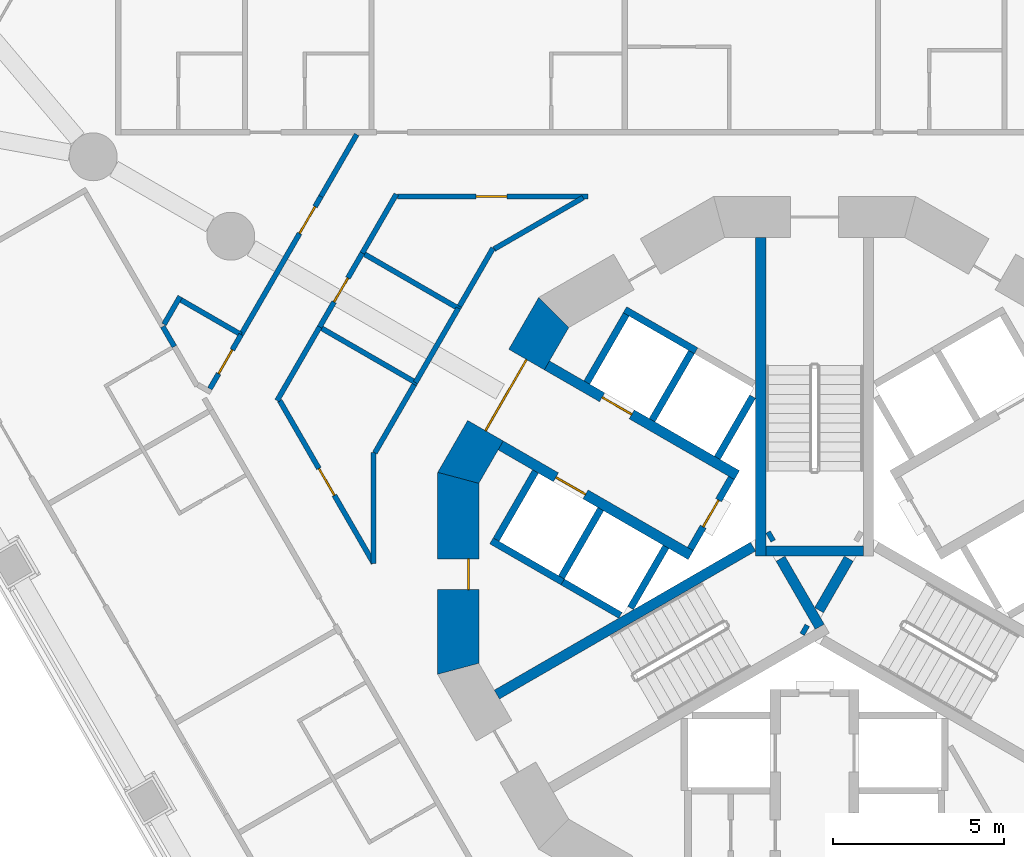
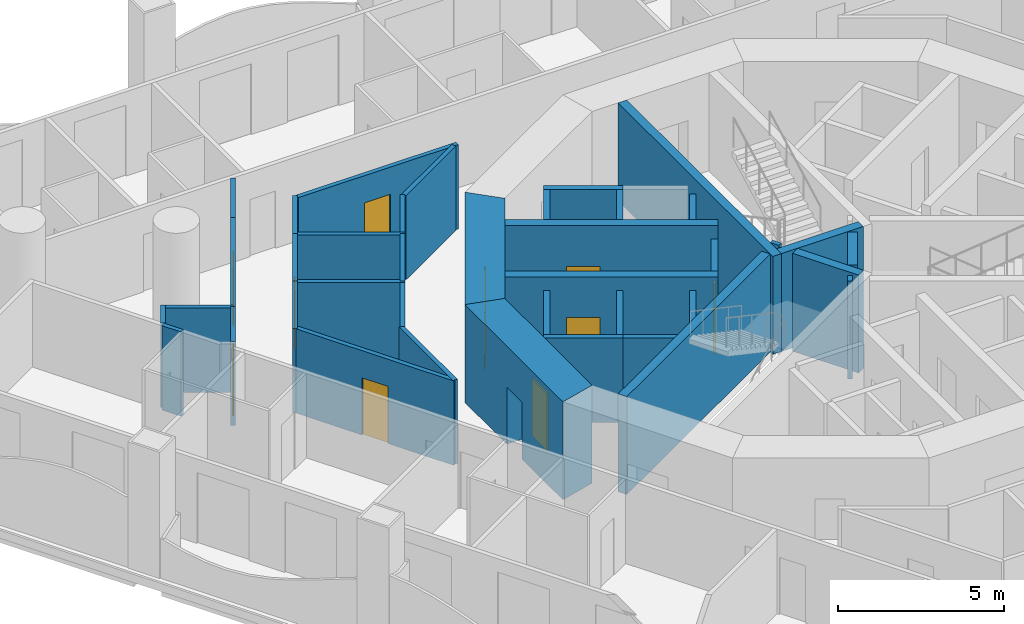
# One storey, part 6 of 19: 39 walls, 10 doors, 10 openings.
"""IFC4 building model written with IfcOpenShell, lengths in metres."""

from ifc_helpers import new_model, si_unit, direction, frame, frame_2d, origin, place, context, subcontext, project, spatial, polyline, rectangle, outline, extrude, material, layer, layer_set, type_object, element, fill, save


model = new_model("IFC4")

# Units and contexts
model_context = context("Model", 3, precision=1e-05, world=origin(), true_north=direction((0.0, 1.0)))
body_context = subcontext(model_context, "Body", "Model", "MODEL_VIEW")
ifc_project = project(units=[si_unit("LENGTHUNIT", "METRE"), si_unit("AREAUNIT", "SQUARE_METRE"), si_unit("VOLUMEUNIT", "CUBIC_METRE"), si_unit("PLANEANGLEUNIT", "RADIAN"), si_unit("MASSUNIT", "GRAM", prefix="KILO")], contexts=[model_context])

# Site, building, storey
site_placement = place(None, origin())
site = spatial("IfcSite", under=ifc_project, at=site_placement, CompositionType="ELEMENT")
building_placement = place(site_placement, origin())
building = spatial("IfcBuilding", under=site, at=building_placement, Name="Trine Commons Tower", CompositionType="ELEMENT")
storey_placement = place(building_placement, frame((0.0, 0.0, 42.300048828125)))
storey = spatial("IfcBuildingStorey", under=building, at=storey_placement, Name="L09", CompositionType="ELEMENT", Elevation=42.300048828125)

# Wall, opening, door
ifc_material_1 = material(Name="Fire-rated gypsum shaft wall system")
ifc_layer_1 = layer(ifc_material_1, 0.199951171875)
ifc_layer_set_1 = layer_set([ifc_layer_1], Name="Fire-rated gypsum shaft wall system")
wall_type_1 = type_object("IfcWallType", Name="Lobby end wall 200 mm, EI 120", PredefinedType="PARTITIONING", material=ifc_layer_set_1)
wall_1_placement = place(storey_placement, frame((77.569091796875, 65.2890625, 0.0), z_axis=(0.0, 0.0, 1.0), x_axis=(-0.50012165622, -0.865955154139, 0.0)))
wall_1 = element("IfcWall", 1, at=wall_1_placement, inside=storey, type_object=wall_type_1, Name="Lobby end wall L09", PredefinedType="PARTITIONING", context=body_context, shape_type="SweptSolid", body=[
    extrude(rectangle(XDim=2.39990234375, YDim=0.199951171875, at=frame_2d((1.199951171875, 0.0))), origin(), (0.0, 0.0, 1.0), 3.099853515625),
])
opening_1_placement = place(wall_1_placement, frame((0.749755859375, 0.0, 0.0)))
opening_1 = element("IfcOpeningElement", 2, at=opening_1_placement, cuts=wall_1, Name="Opening K04.07", PredefinedType="OPENING", context=body_context, shape_type="SweptSolid", body=[
    extrude(rectangle(XDim=0.89990234375, YDim=2.10009765625, at=frame_2d((0.449951171875, 1.050048828125))), frame((0.0, 0.10986328125, 0.0), z_axis=(0.0, -1.0, 0.0), x_axis=(1.0, 0.0, 0.0)), (0.0, 0.0, 1.0), 0.219970703125),
])
ifc_material_2 = material(Name="Steel door leaf, fire-rated", Category="steel")
door_type_1 = type_object("IfcDoorType", Name="Riser access door, single leaf 900 x 2100, FD60", OperationType="SINGLE_SWING_LEFT", PredefinedType="DOOR", material=ifc_material_2)
door_1_placement = place(opening_1_placement, frame((0.89990234375, 0.0, 0.0), z_axis=(0.0, 0.0, 1.0), x_axis=(-1.0, 0.0, 0.0)))
door_1 = element("IfcDoor", 3, at=door_1_placement, inside=storey, type_object=door_type_1, Name="Riser door, Mechanical riser L09", OperationType="SINGLE_SWING_RIGHT", OverallHeight=2.10009765625, OverallWidth=0.89990234375, PredefinedType="DOOR", context=body_context, shape_type="SweptSolid", body=[
    extrude(rectangle(XDim=0.89990234375, YDim=2.10009765625, at=frame_2d((0.449951171875, 1.050048828125))), frame((0.0, 0.02490234375, 0.0), z_axis=(0.0, -1.0, 0.0), x_axis=(1.0, 0.0, 0.0)), (0.0, 0.0, 1.0), 0.050048828125),
])
fill(opening_1, door_1)

ifc_material_3 = material(Name="Concrete C80/95", Category="concrete")
ifc_layer_2 = layer(ifc_material_3, 1.199951171875)
ifc_layer_set_2 = layer_set([ifc_layer_2], Name="Concrete C80/95")
wall_type_2 = type_object("IfcWallType", Name="RC shear wall 1200 mm, C80/95", PredefinedType="SHEAR", material=ifc_layer_set_2)
wall_2_placement = place(storey_placement, frame((72.45849609375, 70.260986328125, 0.0), z_axis=(0.0, 0.0, 1.0), x_axis=(-0.499979111662, -0.866037463336, 0.0)))
wall_2 = element("IfcWall", 4, at=wall_2_placement, inside=storey, type_object=wall_type_2, Name="Core wall CWA-06 L09", PredefinedType="SHEAR", context=body_context, shape_type="SweptSolid", body=[
    extrude(outline(polyline([(0.0, -0.60009765625), (5.901123046875, -0.60009765625), (5.57958984375, 0.60009765625), (0.321533203125, 0.60009765625), (0.0, -0.60009765625)])), origin(), (0.0, 0.0, 1.0), 3.599853515625),
])
opening_2_placement = place(wall_2_placement, frame((1.75048828125, 0.0, 0.0)))
opening_2 = element("IfcOpeningElement", 5, at=opening_2_placement, cuts=wall_2, Name="Opening K04.06", PredefinedType="OPENING", context=body_context, shape_type="SweptSolid", body=[
    extrude(rectangle(XDim=2.39990234375, YDim=2.10009765625, at=frame_2d((1.199951171875, 1.050048828125))), frame((0.0, 0.60986328125, 0.0), z_axis=(0.0, -1.0, 0.0), x_axis=(1.0, 0.0, 0.0)), (0.0, 0.0, 1.0), 1.219970703125),
])
ifc_material_4 = material(Name="Steel door leaves, fire-rated", Category="steel")
door_type_2 = type_object("IfcDoorType", Name="Lobby door, double leaf 2400 x 2100, FD60", OperationType="DOUBLE_DOOR_SINGLE_SWING", PredefinedType="DOOR", material=ifc_material_4)
door_2_placement = place(opening_2_placement, origin())
door_2 = element("IfcDoor", 6, at=door_2_placement, inside=storey, type_object=door_type_2, Name="Lobby door, Passenger lift lobby B L09", OperationType="DOUBLE_DOOR_SINGLE_SWING", OverallHeight=2.10009765625, OverallWidth=2.39990234375, PredefinedType="DOOR", context=body_context, shape_type="SweptSolid", body=[
    extrude(rectangle(XDim=2.39990234375, YDim=2.10009765625, at=frame_2d((1.199951171875, 1.050048828125))), frame((0.0, 0.02490234375, 0.0), z_axis=(0.0, -1.0, 0.0), x_axis=(1.0, 0.0, 0.0)), (0.0, 0.0, 1.0), 0.050048828125),
])
fill(opening_2, door_2)

wall_3_placement = place(storey_placement, frame((69.58837890625, 65.450439453125, 0.0), z_axis=(0.0, 0.0, 1.0), x_axis=(0.0, -1.0, 0.0)))
wall_3 = element("IfcWall", 7, at=wall_3_placement, inside=storey, type_object=wall_type_2, Name="Core wall CWA-07 L09", PredefinedType="SHEAR", context=body_context, shape_type="SweptSolid", body=[
    extrude(outline(polyline([(0.0, -0.60009765625), (5.90087890625, -0.60009765625), (5.57958984375, 0.60009765625), (0.321533203125, 0.60009765625), (0.0, -0.60009765625)])), origin(), (0.0, 0.0, 1.0), 3.599853515625),
])
opening_3_placement = place(wall_3_placement, frame((2.525390625, 0.0, 0.0)))
opening_3 = element("IfcOpeningElement", 8, at=opening_3_placement, cuts=wall_3, Name="Opening K04.14", PredefinedType="OPENING", context=body_context, shape_type="SweptSolid", body=[
    extrude(rectangle(XDim=0.89990234375, YDim=2.10009765625, at=frame_2d((0.449951171875, 1.050048828125))), frame((0.0, 0.60986328125, 0.0), z_axis=(0.0, -1.0, 0.0), x_axis=(1.0, 0.0, 0.0)), (0.0, 0.0, 1.0), 1.219970703125),
])
door_type_3 = type_object("IfcDoorType", Name="Core room door, single leaf 900 x 2100, FD30S", OperationType="SINGLE_SWING_LEFT", PredefinedType="DOOR", material=ifc_material_2)
door_3_placement = place(opening_3_placement, origin())
door_3 = element("IfcDoor", 9, at=door_3_placement, inside=storey, type_object=door_type_3, Name="Door to Print room L09", OperationType="SINGLE_SWING_RIGHT", OverallHeight=2.10009765625, OverallWidth=0.89990234375, PredefinedType="DOOR", context=body_context, shape_type="SweptSolid", body=[
    extrude(rectangle(XDim=0.89990234375, YDim=2.10009765625, at=frame_2d((0.449951171875, 1.050048828125))), frame((0.0, 0.3251953125, 0.0), z_axis=(0.0, -1.0, 0.0), x_axis=(1.0, 0.0, 0.0)), (0.0, 0.0, 1.0), 0.050048828125),
])
fill(opening_3, door_3)

ifc_layer_3 = layer(ifc_material_3, 0.300048828125)
ifc_layer_set_3 = layer_set([ifc_layer_3], Name="Concrete C80/95")
wall_type_3 = type_object("IfcWallType", Name="RC shear wall 300 mm, C80/95", PredefinedType="SHEAR", material=ifc_layer_set_3)
wall_4_placement = place(storey_placement, frame((76.381103515625, 63.031005859375, 0.0), z_axis=(0.0, 0.0, 1.0), x_axis=(-0.866032150378, 0.499988314375, 0.0)))
wall_4 = element("IfcWall", 10, at=wall_4_placement, inside=storey, type_object=wall_type_3, Name="Core cross wall SWA-01 L09", PredefinedType="SHEAR", context=body_context, shape_type="SweptSolid", body=[
    extrude(rectangle(XDim=6.412353515625, YDim=0.300048828125, at=frame_2d((3.2060546875, 0.0))), origin(), (0.0, 0.0, 1.0), 3.599853515625),
])
opening_4_placement = place(wall_4_placement, frame((3.55029296875, 0.0, 0.0)))
opening_4 = element("IfcOpeningElement", 11, at=opening_4_placement, cuts=wall_4, Name="Opening LD3", PredefinedType="OPENING", context=body_context, shape_type="SweptSolid", body=[
    extrude(rectangle(XDim=1.0, YDim=2.10009765625, at=frame_2d((0.5, 1.050048828125))), frame((0.0, 0.159912109375, 0.0), z_axis=(0.0, -1.0, 0.0), x_axis=(1.0, 0.0, 0.0)), (0.0, 0.0, 1.0), 0.320068359375),
])
ifc_material_5 = material(Name="Stainless steel sliding door leaves", Category="steel")
door_type_4 = type_object("IfcDoorType", Name="Lift landing door, centre-opening sliding 1000 x 2100, FD90", OperationType="DOUBLE_DOOR_SLIDING", PredefinedType="DOOR", material=ifc_material_5)
door_4_placement = place(opening_4_placement, origin())
door_4 = element("IfcDoor", 12, at=door_4_placement, inside=storey, type_object=door_type_4, Name="Lift landing door LR3 L09", OperationType="DOUBLE_DOOR_SLIDING", OverallHeight=2.10009765625, OverallWidth=1.0, PredefinedType="DOOR", context=body_context, shape_type="SweptSolid", body=[
    extrude(rectangle(XDim=1.0, YDim=2.10009765625, at=frame_2d((0.5, 1.050048828125))), frame((0.0, 0.02490234375, 0.0), z_axis=(0.0, -1.0, 0.0), x_axis=(1.0, 0.0, 0.0)), (0.0, 0.0, 1.0), 0.050048828125),
])
fill(opening_4, door_4)

wall_5_placement = place(storey_placement, frame((77.73095703125, 65.368896484375, 0.0), z_axis=(0.0, 0.0, 1.0), x_axis=(-0.866022631842, 0.500004801114, 0.0)))
wall_5 = element("IfcWall", 13, at=wall_5_placement, inside=storey, type_object=wall_type_3, Name="Core cross wall SWA-02 L09", PredefinedType="SHEAR", context=body_context, shape_type="SweptSolid", body=[
    extrude(rectangle(XDim=6.412109375, YDim=0.300048828125, at=frame_2d((3.2060546875, 0.0))), origin(), (0.0, 0.0, 1.0), 3.599853515625),
])
opening_5_placement = place(wall_5_placement, frame((3.55029296875, 0.0, 0.0)))
opening_5 = element("IfcOpeningElement", 14, at=opening_5_placement, cuts=wall_5, Name="Opening LD4", PredefinedType="OPENING", context=body_context, shape_type="SweptSolid", body=[
    extrude(rectangle(XDim=1.0, YDim=2.10009765625, at=frame_2d((0.5, 1.050048828125))), frame((0.0, 0.159912109375, 0.0), z_axis=(0.0, -1.0, 0.0), x_axis=(1.0, 0.0, 0.0)), (0.0, 0.0, 1.0), 0.320068359375),
])
door_5_placement = place(opening_5_placement, origin())
door_5 = element("IfcDoor", 15, at=door_5_placement, inside=storey, type_object=door_type_4, Name="Lift landing door LR4 L09", OperationType="DOUBLE_DOOR_SLIDING", OverallHeight=2.10009765625, OverallWidth=1.0, PredefinedType="DOOR", context=body_context, shape_type="SweptSolid", body=[
    extrude(rectangle(XDim=1.0, YDim=2.10009765625, at=frame_2d((0.5, 1.050048828125))), frame((0.0, 0.02490234375, 0.0), z_axis=(0.0, -1.0, 0.0), x_axis=(1.0, 0.0, 0.0)), (0.0, 0.0, 1.0), 0.050048828125),
])
fill(opening_5, door_5)

# Walls
wall_6_placement = place(storey_placement, frame((78.199951171875, 63.280029296875, 0.0), z_axis=(0.0, 0.0, 1.0), x_axis=(-0.865965399159, -0.500103916661, 0.0)))
element("IfcWall", 16, at=wall_6_placement, inside=storey, type_object=wall_type_3, Name="Core cross wall SWA-07 L09", PredefinedType="SHEAR", context=body_context, shape_type="SweptSolid", body=[
    extrude(rectangle(XDim=8.642333984375, YDim=0.300048828125, at=frame_2d((4.3212890625, 0.0))), origin(), (0.0, 0.0, 1.0), 3.599853515625),
])
wall_7_placement = place(storey_placement, frame((78.425048828125, 63.0009765625, 0.0), z_axis=(0.0, 0.0, 1.0), x_axis=(0.0, 1.0, 0.0)))
element("IfcWall", 17, at=wall_7_placement, inside=storey, type_object=wall_type_3, Name="Core cross wall SWA-08 L09", PredefinedType="SHEAR", context=body_context, shape_type="SweptSolid", body=[
    extrude(rectangle(XDim=9.31103515625, YDim=0.300048828125, at=frame_2d((4.655517578125, 0.0))), origin(), (0.0, 0.0, 1.0), 3.599853515625),
])
wall_8_placement = place(storey_placement, frame((78.779052734375, 63.614013671875, 0.0), z_axis=(0.0, 0.0, 1.0), x_axis=(-0.867737973955, -0.497021939713, 0.0)))
element("IfcWall", 18, at=wall_8_placement, inside=storey, type_object=wall_type_3, Name="Core cross wall SWA-09 L09", PredefinedType="SHEAR", context=body_context, shape_type="SweptSolid", body=[
    extrude(rectangle(XDim=0.14892578125, YDim=0.300048828125, at=frame_2d((0.074462890625, 0.0))), origin(), (0.0, 0.0, 1.0), 3.599853515625),
])
wall_9_placement = place(storey_placement, frame((79.0029296875, 62.926025390625, 0.0), z_axis=(0.0, 0.0, 1.0), x_axis=(0.499965247104, -0.866045467449, 0.0)))
element("IfcWall", 19, at=wall_9_placement, inside=storey, type_object=wall_type_3, Name="Core cross wall SWA-10 L09", PredefinedType="SHEAR", context=body_context, shape_type="SweptSolid", body=[
    extrude(rectangle(XDim=2.292236328125, YDim=0.300048828125, at=frame_2d((1.14599609375, 0.0))), origin(), (0.0, 0.0, 1.0), 3.599853515625),
])
wall_10_placement = place(storey_placement, frame((79.64599609375, 60.885986328125, 0.0), z_axis=(0.0, 0.0, 1.0), x_axis=(0.867331893649, -0.497730234424, 0.0)))
element("IfcWall", 20, at=wall_10_placement, inside=storey, type_object=wall_type_3, Name="Core cross wall SWA-11 L09", PredefinedType="SHEAR", context=body_context, shape_type="SweptSolid", body=[
    extrude(rectangle(XDim=0.148681640625, YDim=0.300048828125, at=frame_2d((0.07421875, 0.0))), origin(), (0.0, 0.0, 1.0), 3.599853515625),
])
wall_11_placement = place(storey_placement, frame((80.1298828125, 61.424072265625, 0.0), z_axis=(0.0, 0.0, 1.0), x_axis=(0.500014901547, 0.866016800201, 0.0)))
element("IfcWall", 21, at=wall_11_placement, inside=storey, type_object=wall_type_3, Name="Core cross wall SWA-12 L09", PredefinedType="SHEAR", context=body_context, shape_type="SweptSolid", body=[
    extrude(rectangle(XDim=1.734375, YDim=0.300048828125, at=frame_2d((0.8671875, 0.0))), origin(), (0.0, 0.0, 1.0), 3.599853515625),
])
wall_12_placement = place(storey_placement, frame((81.425048828125, 63.15087890625, 0.0), z_axis=(0.0, 0.0, 1.0), x_axis=(-1.0, 0.0, 0.0)))
element("IfcWall", 22, at=wall_12_placement, inside=storey, type_object=wall_type_3, Name="Core cross wall SWA-16 L09", PredefinedType="SHEAR", context=body_context, shape_type="SweptSolid", body=[
    extrude(rectangle(XDim=2.85009765625, YDim=0.300048828125, at=frame_2d((1.425048828125, 0.0))), origin(), (0.0, 0.0, 1.0), 3.599853515625),
])
ifc_layer_4 = layer(ifc_material_1, 0.199951171875)
ifc_layer_set_4 = layer_set([ifc_layer_4], Name="Fire-rated gypsum shaft wall system")
wall_type_4 = type_object("IfcWallType", Name="Shaft wall 200 mm, EI 120", PredefinedType="PARTITIONING", material=ifc_layer_set_4)
wall_13_placement = place(storey_placement, frame((71.844970703125, 65.47607421875, 0.0), z_axis=(0.0, 0.0, 1.0), x_axis=(-0.500136062276, -0.86594683394, 0.0)))
element("IfcWall", 23, at=wall_13_placement, inside=storey, type_object=wall_type_4, Name="Shaft wall L09", PredefinedType="PARTITIONING", context=body_context, shape_type="SweptSolid", body=[
    extrude(rectangle(XDim=2.299072265625, YDim=0.199951171875, at=frame_2d((1.1494140625, 0.0))), origin(), (0.0, 0.0, 1.0), 3.099853515625),
])
wall_14_placement = place(storey_placement, frame((72.637939453125, 62.248046875, 0.0), z_axis=(0.0, 0.0, 1.0), x_axis=(-0.866177122335, 0.499737123639, 0.0)))
element("IfcWall", 24, at=wall_14_placement, inside=storey, type_object=wall_type_4, Name="Shaft wall L09", PredefinedType="PARTITIONING", context=body_context, shape_type="SweptSolid", body=[
    extrude(rectangle(XDim=2.401123046875, YDim=0.199951171875, at=frame_2d((1.20068359375, 0.0))), origin(), (0.0, 0.0, 1.0), 3.099853515625),
])
wall_15_placement = place(storey_placement, frame((73.344970703125, 68.073974609375, 0.0), z_axis=(0.0, 0.0, 1.0), x_axis=(0.500215680983, 0.865900844496, 0.0)))
element("IfcWall", 25, at=wall_15_placement, inside=storey, type_object=wall_type_4, Name="Shaft wall L09", PredefinedType="PARTITIONING", context=body_context, shape_type="SweptSolid", body=[
    extrude(rectangle(XDim=2.29931640625, YDim=0.199951171875, at=frame_2d((1.149658203125, 0.0))), origin(), (0.0, 0.0, 1.0), 3.099853515625),
])
wall_16_placement = place(storey_placement, frame((73.7509765625, 64.3759765625, 0.0), z_axis=(0.0, 0.0, 1.0), x_axis=(-0.500136062276, -0.86594683394, 0.0)))
element("IfcWall", 26, at=wall_16_placement, inside=storey, type_object=wall_type_4, Name="Shaft wall L09", PredefinedType="PARTITIONING", context=body_context, shape_type="SweptSolid", body=[
    extrude(rectangle(XDim=2.299072265625, YDim=0.199951171875, at=frame_2d((1.1494140625, 0.0))), origin(), (0.0, 0.0, 1.0), 3.099853515625),
])
wall_17_placement = place(storey_placement, frame((74.324951171875, 61.27294921875, 0.0), z_axis=(0.0, 0.0, 1.0), x_axis=(-0.865780634835, 0.500423712812, 0.0)))
element("IfcWall", 27, at=wall_17_placement, inside=storey, type_object=wall_type_4, Name="Shaft wall L09", PredefinedType="PARTITIONING", context=body_context, shape_type="SweptSolid", body=[
    extrude(rectangle(XDim=1.948486328125, YDim=0.199951171875, at=frame_2d((0.97412109375, 0.0))), origin(), (0.0, 0.0, 1.0), 3.099853515625),
])
wall_18_placement = place(storey_placement, frame((75.2509765625, 66.97412109375, 0.0), z_axis=(0.0, 0.0, 1.0), x_axis=(0.500136062276, 0.86594683394, 0.0)))
element("IfcWall", 28, at=wall_18_placement, inside=storey, type_object=wall_type_4, Name="Shaft wall L09", PredefinedType="PARTITIONING", context=body_context, shape_type="SweptSolid", body=[
    extrude(rectangle(XDim=2.299072265625, YDim=0.199951171875, at=frame_2d((1.1494140625, 0.0))), origin(), (0.0, 0.0, 1.0), 3.099853515625),
])
wall_19_placement = place(storey_placement, frame((75.656005859375, 63.27587890625, 0.0), z_axis=(0.0, 0.0, 1.0), x_axis=(-0.500271688072, -0.86586848777, 0.0)))
element("IfcWall", 29, at=wall_19_placement, inside=storey, type_object=wall_type_4, Name="Shaft wall L09", PredefinedType="PARTITIONING", context=body_context, shape_type="SweptSolid", body=[
    extrude(rectangle(XDim=2.064697265625, YDim=0.199951171875, at=frame_2d((1.0322265625, 0.0))), origin(), (0.0, 0.0, 1.0), 3.099853515625),
])
wall_20_placement = place(storey_placement, frame((76.5380859375, 69.001953125, 0.0), z_axis=(0.0, 0.0, 1.0), x_axis=(-0.866202511239, 0.499693115345, 0.0)))
element("IfcWall", 30, at=wall_20_placement, inside=storey, type_object=wall_type_4, Name="Shaft wall L09", PredefinedType="PARTITIONING", context=body_context, shape_type="SweptSolid", body=[
    extrude(rectangle(XDim=2.4013671875, YDim=0.199951171875, at=frame_2d((1.20068359375, 0.0))), origin(), (0.0, 0.0, 1.0), 3.099853515625),
])
wall_21_placement = place(storey_placement, frame((77.156005859375, 65.8740234375, 0.0), z_axis=(0.0, 0.0, 1.0), x_axis=(0.499865770674, 0.866102887253, 0.0)))
element("IfcWall", 31, at=wall_21_placement, inside=storey, type_object=wall_type_4, Name="Shaft wall L09", PredefinedType="PARTITIONING", context=body_context, shape_type="SweptSolid", body=[
    extrude(rectangle(XDim=2.064453125, YDim=0.199951171875, at=frame_2d((1.0322265625, 0.0))), origin(), (0.0, 0.0, 1.0), 3.099853515625),
])
ifc_material_6 = material(Name="Gypsum plasterboard on steel stud", Category="steel")
ifc_layer_5 = layer(ifc_material_6, 0.14990234375)
ifc_layer_set_5 = layer_set([ifc_layer_5], Name="Gypsum plasterboard on steel stud")
wall_type_5 = type_object("IfcWallType", Name="Unit and corridor wall 150 mm, EI 60", PredefinedType="PARTITIONING", material=ifc_layer_set_5)
wall_22_placement = place(storey_placement, frame((60.9560546875, 69.7099609375, 0.0), z_axis=(0.0, 0.0, 1.0), x_axis=(0.500350083779, -0.865823188453, 0.0)))
element("IfcWall", 32, at=wall_22_placement, inside=storey, type_object=wall_type_5, Name="Partition 008", PredefinedType="PARTITIONING", context=body_context, shape_type="SweptSolid", body=[
    extrude(rectangle(XDim=0.67333984375, YDim=0.14990234375, at=frame_2d((0.336669921875, 0.0))), origin(), (0.0, 0.0, 1.0), 3.099853515625),
])
wall_23_placement = place(storey_placement, frame((60.993408203125, 69.77490234375, 0.0), z_axis=(0.0, 0.0, 1.0), x_axis=(0.499692428125, 0.866202907681, 0.0)))
element("IfcWall", 33, at=wall_23_placement, inside=storey, type_object=wall_type_5, Name="Partition 009", PredefinedType="PARTITIONING", context=body_context, shape_type="SweptSolid", body=[
    extrude(rectangle(XDim=0.9384765625, YDim=0.14990234375, at=frame_2d((0.46923828125, 0.0))), origin(), (0.0, 0.0, 1.0), 3.099853515625),
])
wall_24_placement = place(storey_placement, frame((61.489990234375, 70.485595703125, 0.0), z_axis=(0.0, 0.0, 1.0), x_axis=(0.866008926066, -0.500028539159, 0.0)))
element("IfcWall", 34, at=wall_24_placement, inside=storey, type_object=wall_type_5, Name="Partition 014", PredefinedType="PARTITIONING", context=body_context, shape_type="SweptSolid", body=[
    extrude(rectangle(XDim=2.025390625, YDim=0.14990234375, at=frame_2d((1.0126953125, 0.0))), origin(), (0.0, 0.0, 1.0), 3.099853515625),
])

# Wall, opening, door
wall_25_placement = place(storey_placement, frame((62.32958984375, 67.889892578125, 0.0), z_axis=(0.0, 0.0, 1.0), x_axis=(0.500295360516, 0.865854810142, 0.0)))
wall_25 = element("IfcWall", 35, at=wall_25_placement, inside=storey, type_object=wall_type_5, Name="Partition 018", PredefinedType="PARTITIONING", context=body_context, shape_type="SweptSolid", body=[
    extrude(rectangle(XDim=1.83203125, YDim=0.14990234375, at=frame_2d((0.916015625, 0.0))), origin(), (0.0, 0.0, 1.0), 3.099853515625),
])
opening_6_placement = place(wall_25_placement, frame((0.51416015625, 0.0, 0.0)))
opening_6 = element("IfcOpeningElement", 36, at=opening_6_placement, cuts=wall_25, Name="Opening D-1B06", PredefinedType="OPENING", context=body_context, shape_type="SweptSolid", body=[
    extrude(rectangle(XDim=0.800048828125, YDim=2.10009765625, at=frame_2d((0.39990234375, 1.050048828125))), frame((0.0, 0.0849609375, 0.0), z_axis=(0.0, -1.0, 0.0), x_axis=(1.0, 0.0, 0.0)), (0.0, 0.0, 1.0), 0.169921875),
])
ifc_material_7 = material(Name="Painted timber", Category="wood")
door_type_5 = type_object("IfcDoorType", Name="Toilet door 800 x 2100, NOT RATED", OperationType="NOTDEFINED", PredefinedType="DOOR", material=ifc_material_7)
door_6_placement = place(opening_6_placement, origin())
door_6 = element("IfcDoor", 37, at=door_6_placement, inside=storey, type_object=door_type_5, Name="Door D-1B06", OperationType="SINGLE_SWING_LEFT", OverallHeight=2.10009765625, OverallWidth=0.800048828125, PredefinedType="DOOR", context=body_context, shape_type="SweptSolid", body=[
    extrude(rectangle(XDim=0.800048828125, YDim=2.10009765625, at=frame_2d((0.39990234375, 1.050048828125))), frame((0.0, 0.02490234375, 0.0), z_axis=(0.0, -1.0, 0.0), x_axis=(1.0, 0.0, 0.0)), (0.0, 0.0, 1.0), 0.050048828125),
])
fill(opening_6, door_6)

wall_26_placement = place(storey_placement, frame((63.24609375, 69.47607421875, 0.0), z_axis=(0.0, 0.0, 1.0), x_axis=(0.500135267133, 0.865947293182, 0.0)))
wall_26 = element("IfcWall", 38, at=wall_26_placement, inside=storey, type_object=wall_type_5, Name="Partition 021", PredefinedType="PARTITIONING", context=body_context, shape_type="SweptSolid", body=[
    extrude(rectangle(XDim=4.658447265625, YDim=0.14990234375, at=frame_2d((2.3291015625, 0.0))), origin(), (0.0, 0.0, 1.0), 3.099853515625),
])
opening_7_placement = place(wall_26_placement, frame((3.4140625, 0.0, 0.0)))
opening_7 = element("IfcOpeningElement", 39, at=opening_7_placement, cuts=wall_26, Name="Opening D-1B03", PredefinedType="OPENING", context=body_context, shape_type="SweptSolid", body=[
    extrude(rectangle(XDim=0.89990234375, YDim=2.10009765625, at=frame_2d((0.449951171875, 1.050048828125))), frame((0.0, 0.0849609375, 0.0), z_axis=(0.0, -1.0, 0.0), x_axis=(1.0, 0.0, 0.0)), (0.0, 0.0, 1.0), 0.169921875),
])
ifc_material_8 = material(Name="Timber fire door set", Category="wood")
door_type_6 = type_object("IfcDoorType", Name="Cluster entrance door 900 x 2100, FD30S", OperationType="NOTDEFINED", PredefinedType="DOOR", material=ifc_material_8)
door_7_placement = place(opening_7_placement, origin())
door_7 = element("IfcDoor", 40, at=door_7_placement, inside=storey, type_object=door_type_6, Name="Door D-1B03", OperationType="SINGLE_SWING_RIGHT", OverallHeight=2.10009765625, OverallWidth=0.89990234375, PredefinedType="DOOR", context=body_context, shape_type="SweptSolid", body=[
    extrude(rectangle(XDim=0.89990234375, YDim=2.10009765625, at=frame_2d((0.449951171875, 1.050048828125))), frame((0.0, 0.02490234375, 0.0), z_axis=(0.0, -1.0, 0.0), x_axis=(1.0, 0.0, 0.0)), (0.0, 0.0, 1.0), 0.050048828125),
])
fill(opening_7, door_7)

# Wall
wall_27_placement = place(storey_placement, frame((64.29638671875, 67.5458984375, 0.0), z_axis=(0.0, 0.0, 1.0), x_axis=(0.499878313685, 0.866095648013, 0.0)))
element("IfcWall", 41, at=wall_27_placement, inside=storey, type_object=wall_type_5, Name="Partition 023", PredefinedType="PARTITIONING", context=body_context, shape_type="SweptSolid", body=[
    extrude(rectangle(XDim=2.48583984375, YDim=0.14990234375, at=frame_2d((1.242919921875, 0.0))), origin(), (0.0, 0.0, 1.0), 3.099853515625),
])

# Wall, opening, door
wall_28_placement = place(storey_placement, frame((64.37158203125, 67.5458984375, 0.0), z_axis=(0.0, 0.0, 1.0), x_axis=(0.49996526764, -0.866045455593, 0.0)))
wall_28 = element("IfcWall", 42, at=wall_28_placement, inside=storey, type_object=wall_type_5, Name="Partition 024", PredefinedType="PARTITIONING", context=body_context, shape_type="SweptSolid", body=[
    extrude(rectangle(XDim=5.4833984375, YDim=0.14990234375, at=frame_2d((2.74169921875, 0.0))), origin(), (0.0, 0.0, 1.0), 3.099853515625),
])
opening_8_placement = place(wall_28_placement, frame((2.291748046875, 0.0, 0.0)))
opening_8 = element("IfcOpeningElement", 43, at=opening_8_placement, cuts=wall_28, Name="Opening D-1B32", PredefinedType="OPENING", context=body_context, shape_type="SweptSolid", body=[
    extrude(rectangle(XDim=0.89990234375, YDim=2.10009765625, at=frame_2d((0.449951171875, 1.050048828125))), frame((0.0, 0.0849609375, 0.0), z_axis=(0.0, -1.0, 0.0), x_axis=(1.0, 0.0, 0.0)), (0.0, 0.0, 1.0), 0.169921875),
])
door_type_7 = type_object("IfcDoorType", Name="Service door 900 x 2100, FD30S", OperationType="NOTDEFINED", PredefinedType="DOOR", material=ifc_material_8)
door_8_placement = place(opening_8_placement, origin())
door_8 = element("IfcDoor", 44, at=door_8_placement, inside=storey, type_object=door_type_7, Name="Door D-1B32", OperationType="SINGLE_SWING_LEFT", OverallHeight=2.10009765625, OverallWidth=0.89990234375, PredefinedType="DOOR", context=body_context, shape_type="SweptSolid", body=[
    extrude(rectangle(XDim=0.89990234375, YDim=2.10009765625, at=frame_2d((0.449951171875, 1.050048828125))), frame((0.0, 0.02490234375, 0.0), z_axis=(0.0, -1.0, 0.0), x_axis=(1.0, 0.0, 0.0)), (0.0, 0.0, 1.0), 0.050048828125),
])
fill(opening_8, door_8)

wall_29_placement = place(storey_placement, frame((65.49853515625, 69.626953125, 0.0), z_axis=(0.0, 0.0, 1.0), x_axis=(0.499697902162, 0.866199749812, 0.0)))
wall_29 = element("IfcWall", 45, at=wall_29_placement, inside=storey, type_object=wall_type_5, Name="Partition 029", PredefinedType="PARTITIONING", context=body_context, shape_type="SweptSolid", body=[
    extrude(rectangle(XDim=2.58251953125, YDim=0.14990234375, at=frame_2d((1.291259765625, 0.0))), origin(), (0.0, 0.0, 1.0), 3.099853515625),
])
opening_9_placement = place(wall_29_placement, frame((0.928466796875, 0.0, 0.0)))
opening_9 = element("IfcOpeningElement", 46, at=opening_9_placement, cuts=wall_29, Name="Opening D-1B35", PredefinedType="OPENING", context=body_context, shape_type="SweptSolid", body=[
    extrude(rectangle(XDim=0.800048828125, YDim=2.10009765625, at=frame_2d((0.39990234375, 1.050048828125))), frame((0.0, 0.0849609375, 0.0), z_axis=(0.0, -1.0, 0.0), x_axis=(1.0, 0.0, 0.0)), (0.0, 0.0, 1.0), 0.169921875),
])
door_9_placement = place(opening_9_placement, frame((0.800048828125, 0.0, 0.0), z_axis=(0.0, 0.0, 1.0), x_axis=(-1.0, 0.0, 0.0)))
door_9 = element("IfcDoor", 47, at=door_9_placement, inside=storey, type_object=door_type_5, Name="Door D-1B35", OperationType="SINGLE_SWING_LEFT", OverallHeight=2.10009765625, OverallWidth=0.800048828125, PredefinedType="DOOR", context=body_context, shape_type="SweptSolid", body=[
    extrude(rectangle(XDim=0.800048828125, YDim=2.10009765625, at=frame_2d((0.39990234375, 1.050048828125))), frame((0.0, 0.02490234375, 0.0), z_axis=(0.0, -1.0, 0.0), x_axis=(1.0, 0.0, 0.0)), (0.0, 0.0, 1.0), 0.050048828125),
])
fill(opening_9, door_9)

# Walls
wall_30_placement = place(storey_placement, frame((65.602783203125, 69.657470703125, 0.0), z_axis=(0.0, 0.0, 1.0), x_axis=(0.86600086652, -0.50004249738, 0.0)))
element("IfcWall", 48, at=wall_30_placement, inside=storey, type_object=wall_type_5, Name="Partition 030", PredefinedType="PARTITIONING", context=body_context, shape_type="SweptSolid", body=[
    extrude(rectangle(XDim=3.235595703125, YDim=0.14990234375, at=frame_2d((1.61767578125, 0.0))), origin(), (0.0, 0.0, 1.0), 3.099853515625),
])
wall_31_placement = place(storey_placement, frame((65.575927734375, 73.510009765625, 0.0), z_axis=(0.0, 0.0, 1.0), x_axis=(0.499816741327, 0.866131182379, 0.0)))
element("IfcWall", 49, at=wall_31_placement, inside=storey, type_object=wall_type_5, Name="Partition 031", PredefinedType="PARTITIONING", context=body_context, shape_type="SweptSolid", body=[
    extrude(rectangle(XDim=2.092041015625, YDim=0.14990234375, at=frame_2d((1.0458984375, 0.0))), origin(), (0.0, 0.0, 1.0), 3.099853515625),
])
wall_32_placement = place(storey_placement, frame((66.785888671875, 71.85693359375, 0.0), z_axis=(0.0, 0.0, 1.0), x_axis=(0.499867898641, 0.866101659107, 0.0)))
element("IfcWall", 50, at=wall_32_placement, inside=storey, type_object=wall_type_5, Name="Partition 032", PredefinedType="PARTITIONING", context=body_context, shape_type="SweptSolid", body=[
    extrude(rectangle(XDim=1.98583984375, YDim=0.14990234375, at=frame_2d((0.992919921875, 0.0))), origin(), (0.0, 0.0, 1.0), 3.099853515625),
])
wall_33_placement = place(storey_placement, frame((66.852783203125, 71.822509765625, 0.0), z_axis=(0.0, 0.0, 1.0), x_axis=(0.86600086652, -0.50004249738, 0.0)))
element("IfcWall", 51, at=wall_33_placement, inside=storey, type_object=wall_type_5, Name="Partition 033", PredefinedType="PARTITIONING", context=body_context, shape_type="SweptSolid", body=[
    extrude(rectangle(XDim=3.235595703125, YDim=0.14990234375, at=frame_2d((1.61767578125, 0.0))), origin(), (0.0, 0.0, 1.0), 3.099853515625),
])
wall_34_placement = place(storey_placement, frame((67.113037109375, 62.79296875, 0.0), z_axis=(0.0, 0.0, 1.0), x_axis=(0.0, 1.0, 0.0)))
element("IfcWall", 52, at=wall_34_placement, inside=storey, type_object=wall_type_5, Name="Partition 037", PredefinedType="PARTITIONING", context=body_context, shape_type="SweptSolid", body=[
    extrude(rectangle(XDim=3.235107421875, YDim=0.14990234375, at=frame_2d((1.61767578125, 0.0))), origin(), (0.0, 0.0, 1.0), 3.099853515625),
])
wall_35_placement = place(storey_placement, frame((67.150390625, 66.01806640625, 0.0), z_axis=(0.0, 0.0, 1.0), x_axis=(0.500067667087, 0.865986332649, 0.0)))
element("IfcWall", 53, at=wall_35_placement, inside=storey, type_object=wall_type_5, Name="Partition 038", PredefinedType="PARTITIONING", context=body_context, shape_type="SweptSolid", body=[
    extrude(rectangle(XDim=2.305908203125, YDim=0.14990234375, at=frame_2d((1.15283203125, 0.0))), origin(), (0.0, 0.0, 1.0), 3.099853515625),
])

# Wall, opening, door
wall_36_placement = place(storey_placement, frame((67.81591796875, 73.511962890625, 0.0), z_axis=(0.0, 0.0, 1.0), x_axis=(1.0, 0.0, 0.0)))
wall_36 = element("IfcWall", 54, at=wall_36_placement, inside=storey, type_object=wall_type_5, Name="Partition 039", PredefinedType="PARTITIONING", context=body_context, shape_type="SweptSolid", body=[
    extrude(rectangle(XDim=5.55810546875, YDim=0.14990234375, at=frame_2d((2.779052734375, 0.0))), origin(), (0.0, 0.0, 1.0), 3.099853515625),
])
opening_10_placement = place(wall_36_placement, frame((2.29150390625, 0.0, 0.0)))
opening_10 = element("IfcOpeningElement", 55, at=opening_10_placement, cuts=wall_36, Name="Opening D-1B34", PredefinedType="OPENING", context=body_context, shape_type="SweptSolid", body=[
    extrude(rectangle(XDim=0.89990234375, YDim=2.10009765625, at=frame_2d((0.449951171875, 1.050048828125))), frame((0.0, 0.0849609375, 0.0), z_axis=(0.0, -1.0, 0.0), x_axis=(1.0, 0.0, 0.0)), (0.0, 0.0, 1.0), 0.169921875),
])
door_10_placement = place(opening_10_placement, frame((0.89990234375, 0.0, 0.0), z_axis=(0.0, 0.0, 1.0), x_axis=(-1.0, 0.0, 0.0)))
door_10 = element("IfcDoor", 56, at=door_10_placement, inside=storey, type_object=door_type_7, Name="Door D-1B34", OperationType="SINGLE_SWING_RIGHT", OverallHeight=2.10009765625, OverallWidth=0.89990234375, PredefinedType="DOOR", context=body_context, shape_type="SweptSolid", body=[
    extrude(rectangle(XDim=0.89990234375, YDim=2.10009765625, at=frame_2d((0.449951171875, 1.050048828125))), frame((0.0, 0.02490234375, 0.0), z_axis=(0.0, -1.0, 0.0), x_axis=(1.0, 0.0, 0.0)), (0.0, 0.0, 1.0), 0.050048828125),
])
fill(opening_10, door_10)

# Walls
wall_37_placement = place(storey_placement, frame((68.337890625, 68.073974609375, 0.0), z_axis=(0.0, 0.0, 1.0), x_axis=(0.499899494929, 0.866083422639, 0.0)))
element("IfcWall", 57, at=wall_37_placement, inside=storey, type_object=wall_type_5, Name="Partition 040", PredefinedType="PARTITIONING", context=body_context, shape_type="SweptSolid", body=[
    extrude(rectangle(XDim=2.5068359375, YDim=0.14990234375, at=frame_2d((1.25341796875, 0.0))), origin(), (0.0, 0.0, 1.0), 3.099853515625),
])
wall_38_placement = place(storey_placement, frame((69.62548828125, 70.303955078125, 0.0), z_axis=(0.0, 0.0, 1.0), x_axis=(0.49976205282, 0.866162739074, 0.0)))
element("IfcWall", 58, at=wall_38_placement, inside=storey, type_object=wall_type_5, Name="Partition 041", PredefinedType="PARTITIONING", context=body_context, shape_type="SweptSolid", body=[
    extrude(rectangle(XDim=1.95703125, YDim=0.14990234375, at=frame_2d((0.978515625, 0.0))), origin(), (0.0, 0.0, 1.0), 3.099853515625),
])
wall_39_placement = place(storey_placement, frame((70.630859375, 71.971435546875, 0.0), z_axis=(0.0, 0.0, 1.0), x_axis=(0.865962665808, 0.500108649621, 0.0)))
element("IfcWall", 59, at=wall_39_placement, inside=storey, type_object=wall_type_5, Name="Partition 043", PredefinedType="PARTITIONING", context=body_context, shape_type="SweptSolid", body=[
    extrude(rectangle(XDim=3.009521484375, YDim=0.14990234375, at=frame_2d((1.5048828125, 0.0))), origin(), (0.0, 0.0, 1.0), 3.099853515625),
])

save(model, "model.ifc")
